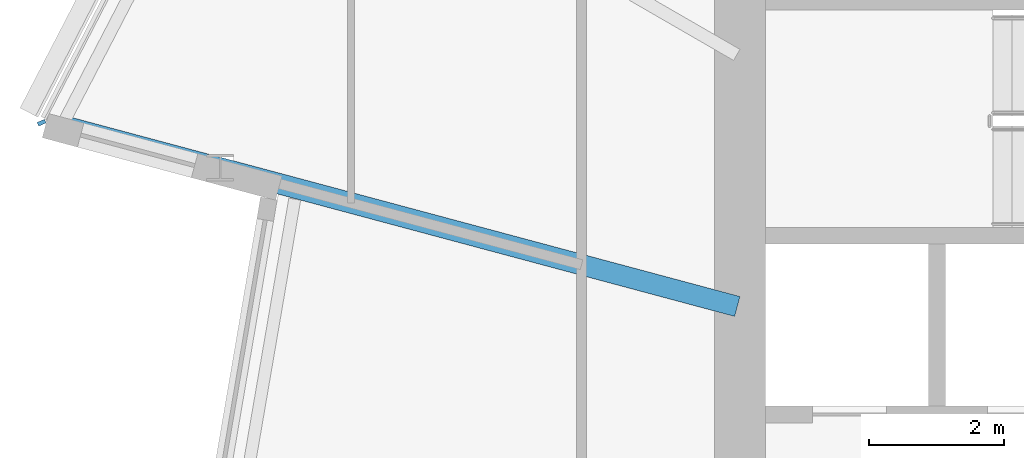
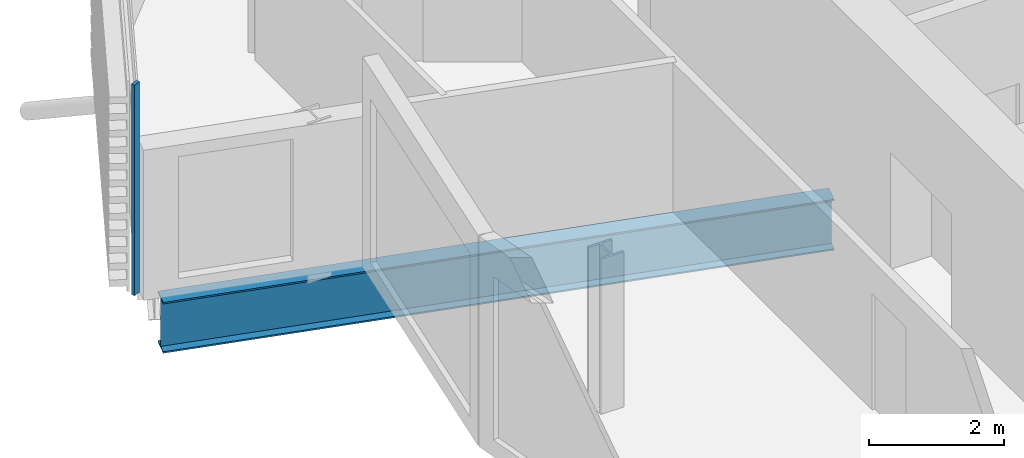
# One storey, part 5 of 39: 1 beam, 1 member, 1 element without a shape of its own.
"""IFC4 building model written with IfcOpenShell, lengths in metres."""

from ifc_helpers import new_model, si_unit, direction, frame, origin, origin_2d, place, context, subcontext, project, spatial, rectangle, i_section, extrude, material, material_profile, profile_set, type_object, element, aggregate, save


model = new_model("IFC4")

# Units and contexts
model_context = context("Model", 3, precision=1e-05, world=origin(), true_north=direction((0.0, 1.0)))
body_context = subcontext(model_context, "Body", "Model", "MODEL_VIEW")
ifc_project = project(units=[si_unit("LENGTHUNIT", "METRE"), si_unit("AREAUNIT", "SQUARE_METRE"), si_unit("VOLUMEUNIT", "CUBIC_METRE"), si_unit("PLANEANGLEUNIT", "RADIAN"), si_unit("MASSUNIT", "GRAM", prefix="KILO")], contexts=[model_context])

# Site, building, storey
site_placement = place(None, origin())
site = spatial("IfcSite", under=ifc_project, at=site_placement, CompositionType="ELEMENT")
building_placement = place(site_placement, origin())
building = spatial("IfcBuilding", under=site, at=building_placement, Name="Rimbun Link Towers", CompositionType="ELEMENT")
storey_placement = place(building_placement, frame((0.0, 0.0, 112.0)))
storey = spatial("IfcBuildingStorey", under=building, at=storey_placement, Name="L27", CompositionType="ELEMENT", Elevation=112.0)

# Curtain wall, member
ifc_material_1 = material(Name="Aluminium 6063-T6 and low-iron glass", Category="aluminium")
curtain_wall_type = type_object("IfcCurtainWallType", Name="CW1-Z2 unitised vision wall (zone 2)", PredefinedType="NOTDEFINED", material=ifc_material_1)
curtain_wall_placement = place(storey_placement, origin())
curtain_wall = element("IfcCurtainWall", 1, at=curtain_wall_placement, inside=storey, type_object=curtain_wall_type, Name="CW1 L27 T1", PredefinedType="NOTDEFINED")
ifc_material_2 = material(Name="Aluminium 6063-T6", Category="aluminium")
ifc_material_profile_1 = material_profile(ifc_material_2, rectangle(XDim=0.1201171875, YDim=0.06005859375, at=origin_2d()), Name="MULLION 60X120")
ifc_profile_set_1 = profile_set([ifc_material_profile_1], Name="Aluminium 6063-T6")
member_type = type_object("IfcMemberType", Name="CW1 mullion 60X120", PredefinedType="MULLION", material=ifc_profile_set_1)
member_placement = place(storey_placement, frame((-54.10498046875, 5.951171875, 0.0), z_axis=(0.0, 0.0, 1.0), x_axis=(-0.914814968794, -0.403873213857, 0.0)))
member = element("IfcMember", 2, at=member_placement, type_object=member_type, Name="CW1 mullion", PredefinedType="MULLION", context=body_context, shape_type="SweptSolid", body=[
    extrude(rectangle(XDim=0.1201171875, YDim=0.06005859375, at=origin_2d()), origin(), (0.0, 0.0, 1.0), 3.800048828125),
])
aggregate(curtain_wall, [member])

# Beam
ifc_material_3 = material(Name="Steel S355J2", Category="steel")
ifc_material_profile_2 = material_profile(ifc_material_3, i_section(OverallWidth=0.305419921875, OverallDepth=0.91845703125, WebThickness=0.017333984375, FlangeThickness=0.02783203125, at=origin_2d()), Name="UB 914x305x253")
ifc_profile_set_2 = profile_set([ifc_material_profile_2], Name="Steel S355J2")
beam_type = type_object("IfcBeamType", Name="UB 914x305x253", PredefinedType="BEAM", material=ifc_profile_set_2)
beam_placement = place(storey_placement, frame((-43.79052734375, 3.226318359375, -0.619140625), z_axis=(-0.965926199837, 0.258817650997, 0.0), x_axis=(-0.258817650997, -0.965926199837, 0.0)))
element("IfcBeam", 3, at=beam_placement, inside=storey, type_object=beam_type, Name="Radial beam T1 L27 11", PredefinedType="BEAM", context=body_context, shape_type="SweptSolid", body=[
    extrude(i_section(OverallWidth=0.305419921875, OverallDepth=0.91845703125, WebThickness=0.017333984375, FlangeThickness=0.02783203125, at=origin_2d()), origin(), (0.0, 0.0, 1.0), 10.2734375),
])

save(model, "model.ifc")
